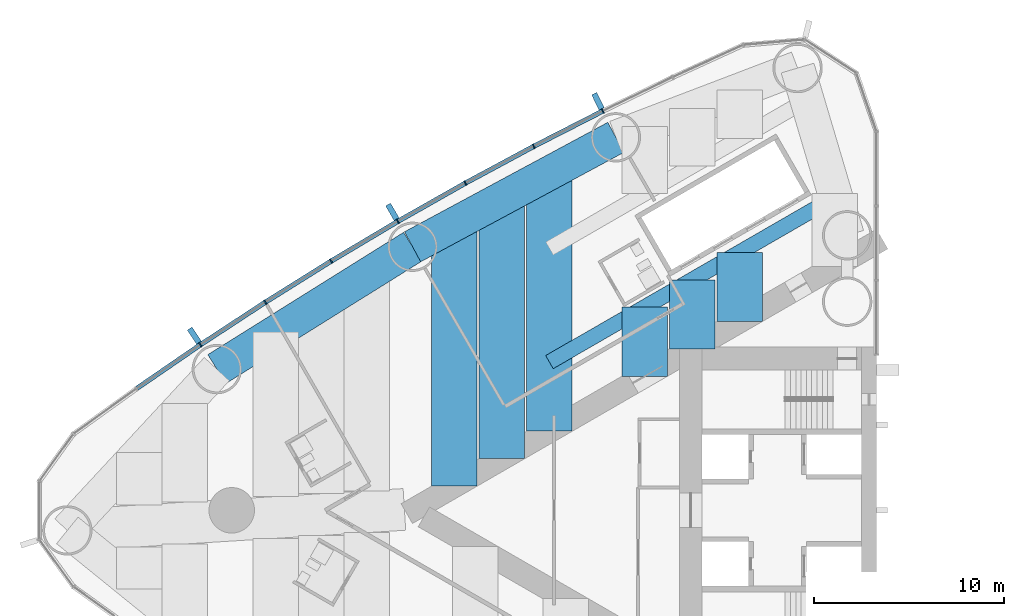
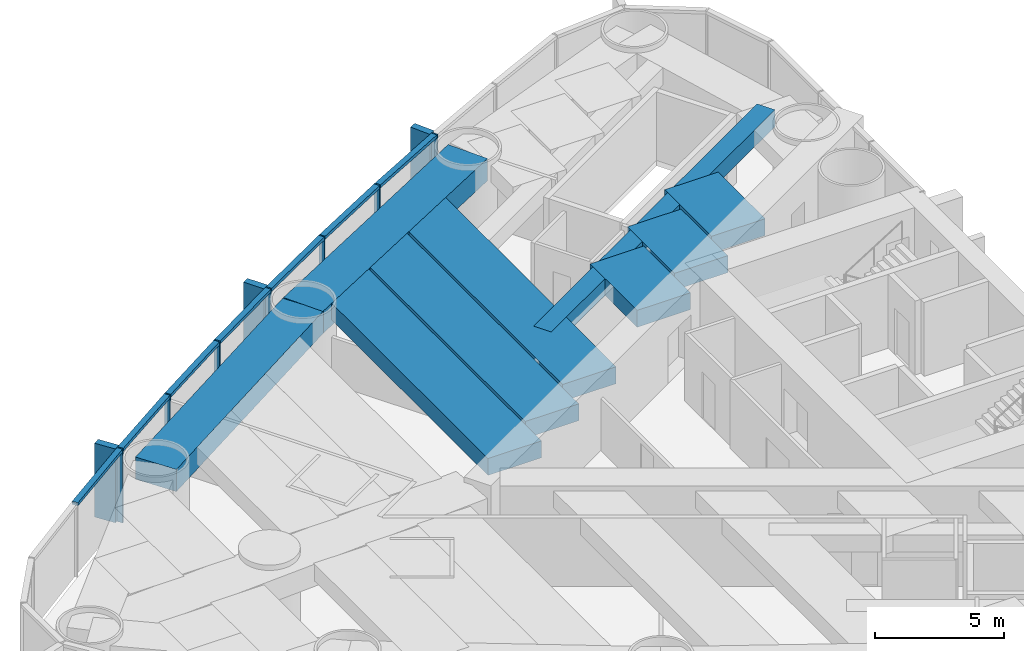
# One storey, part 4 of 18: 17 members, 9 beams, 1 element without a shape of its own.
"""IFC4 building model written with IfcOpenShell, lengths in metres."""

from ifc_helpers import new_model, si_unit, direction, frame, origin, origin_2d, place, context, subcontext, project, spatial, rectangle, hollow_rectangle, extrude, material, material_profile, profile_set, type_object, element, aggregate, save


model = new_model("IFC4")

# Units and contexts
model_context = context("Model", 3, precision=1e-05, world=origin(), true_north=direction((0.0, 1.0)))
body_context = subcontext(model_context, "Body", "Model", "MODEL_VIEW")
ifc_project = project(units=[si_unit("LENGTHUNIT", "METRE"), si_unit("AREAUNIT", "SQUARE_METRE"), si_unit("VOLUMEUNIT", "CUBIC_METRE"), si_unit("PLANEANGLEUNIT", "RADIAN"), si_unit("MASSUNIT", "GRAM", prefix="KILO")], contexts=[model_context])

# Site, building, storey
site_placement = place(None, origin())
site = spatial("IfcSite", under=ifc_project, at=site_placement, CompositionType="ELEMENT")
building_placement = place(site_placement, origin())
building = spatial("IfcBuilding", under=site, at=building_placement, Name="Lancet Gate Hotel", CompositionType="ELEMENT")
storey_placement = place(building_placement, frame((0.0, 0.0, 101.10009765625)))
storey = spatial("IfcBuildingStorey", under=building, at=storey_placement, Name="L26", CompositionType="ELEMENT", Elevation=101.10009765625)

# Curtain wall, members
ifc_material_1 = material(Name="Aluminium curtain wall", Category="aluminium")
curtain_wall_type = type_object("IfcCurtainWallType", Name="Tower unitised curtain wall", PredefinedType="USERDEFINED", material=ifc_material_1)
curtain_wall_placement = place(storey_placement, origin())
curtain_wall = element("IfcCurtainWall", 1, at=curtain_wall_placement, inside=storey, type_object=curtain_wall_type, Name="T1 L26 curtain wall 1", ObjectType="UNITISED CURTAIN WALL", PredefinedType="USERDEFINED")
ifc_material_2 = material(Name="Aluminium mullion", Category="aluminium")
ifc_material_profile_1 = material_profile(ifc_material_2, rectangle(XDim=0.06494140625, YDim=0.25, at=origin_2d()), Name="MULLION 65x250")
ifc_profile_set_1 = profile_set([ifc_material_profile_1], Name="Aluminium mullion")
member_type_1 = type_object("IfcMemberType", Name="Aluminium mullion 65x250", PredefinedType="MULLION", material=ifc_profile_set_1)
member_1_placement = place(storey_placement, frame((-41.935302734375, 21.053466796875, 0.0), z_axis=(0.0, 0.0, 1.0), x_axis=(-0.895339445458, -0.445384415317, 0.0)))
member_1 = element("IfcMember", 2, at=member_1_placement, type_object=member_type_1, Name="T1 L26 curtain wall 1 mullion 9", PredefinedType="MULLION", context=body_context, shape_type="SweptSolid", body=[
    extrude(rectangle(XDim=0.06494140625, YDim=0.25, at=origin_2d()), origin(), (0.0, 0.0, 1.0), 3.5),
])
member_2_placement = place(storey_placement, frame((-45.578857421875, 19.19189453125, 0.0), z_axis=(0.0, 0.0, 1.0), x_axis=(-0.885544335517, -0.46455487279, 0.0)))
member_2 = element("IfcMember", 3, at=member_2_placement, type_object=member_type_1, Name="T1 L26 curtain wall 1 mullion 10", PredefinedType="MULLION", context=body_context, shape_type="SweptSolid", body=[
    extrude(rectangle(XDim=0.06494140625, YDim=0.25, at=origin_2d()), origin(), (0.0, 0.0, 1.0), 3.5),
])
member_3_placement = place(storey_placement, frame((-49.181640625, 17.252197265625, 0.0), z_axis=(0.0, 0.0, 1.0), x_axis=(-0.875338819507, -0.48351003202, 0.0)))
member_3 = element("IfcMember", 4, at=member_3_placement, type_object=member_type_1, Name="T1 L26 curtain wall 1 mullion 11", PredefinedType="MULLION", context=body_context, shape_type="SweptSolid", body=[
    extrude(rectangle(XDim=0.06494140625, YDim=0.25, at=origin_2d()), origin(), (0.0, 0.0, 1.0), 3.5),
])
member_4_placement = place(storey_placement, frame((-52.74169921875, 15.2353515625, 0.0), z_axis=(0.0, 0.0, 1.0), x_axis=(-0.86472762718, -0.502241108226, 0.0)))
member_4 = element("IfcMember", 5, at=member_4_placement, type_object=member_type_1, Name="T1 L26 curtain wall 1 mullion 12", PredefinedType="MULLION", context=body_context, shape_type="SweptSolid", body=[
    extrude(rectangle(XDim=0.06494140625, YDim=0.25, at=origin_2d()), origin(), (0.0, 0.0, 1.0), 3.5),
])
member_5_placement = place(storey_placement, frame((-56.257568359375, 13.142333984375, 0.0), z_axis=(0.0, 0.0, 1.0), x_axis=(-0.853715676299, -0.52073942048, 0.0)))
member_5 = element("IfcMember", 6, at=member_5_placement, type_object=member_type_1, Name="T1 L26 curtain wall 1 mullion 13", PredefinedType="MULLION", context=body_context, shape_type="SweptSolid", body=[
    extrude(rectangle(XDim=0.06494140625, YDim=0.25, at=origin_2d()), origin(), (0.0, 0.0, 1.0), 3.5),
])
member_6_placement = place(storey_placement, frame((-59.7275390625, 10.974365234375, 0.0), z_axis=(0.0, 0.0, 1.0), x_axis=(-0.84230807036, -0.538996395727, 0.0)))
member_6 = element("IfcMember", 7, at=member_6_placement, type_object=member_type_1, Name="T1 L26 curtain wall 1 mullion 14", PredefinedType="MULLION", context=body_context, shape_type="SweptSolid", body=[
    extrude(rectangle(XDim=0.06494140625, YDim=0.25, at=origin_2d()), origin(), (0.0, 0.0, 1.0), 3.5),
])
member_7_placement = place(storey_placement, frame((-63.14990234375, 8.73193359375, 0.0), z_axis=(0.0, 0.0, 1.0), x_axis=(-0.830510096234, -0.557003572747, 0.0)))
member_7 = element("IfcMember", 8, at=member_7_placement, type_object=member_type_1, Name="T1 L26 curtain wall 1 mullion 15", PredefinedType="MULLION", context=body_context, shape_type="SweptSolid", body=[
    extrude(rectangle(XDim=0.06494140625, YDim=0.25, at=origin_2d()), origin(), (0.0, 0.0, 1.0), 3.5),
])
ifc_material_3 = material(Name="Aluminium transom", Category="aluminium")
ifc_material_profile_2 = material_profile(ifc_material_3, rectangle(XDim=0.25, YDim=0.14990234375, at=origin_2d()), Name="TRANSOM 250x150")
ifc_profile_set_2 = profile_set([ifc_material_profile_2], Name="Aluminium transom")
member_type_2 = type_object("IfcMemberType", Name="Aluminium transom 250x150", PredefinedType="USERDEFINED", material=ifc_profile_set_2)
member_8_placement = place(storey_placement, frame((-41.96435546875, 21.038818359375, 3.4248046875), z_axis=(-0.89047617483, -0.455029869415, 0.0), x_axis=(0.455029869415, -0.89047617483, 0.0)))
member_8 = element("IfcMember", 9, at=member_8_placement, type_object=member_type_2, Name="T1 L26 curtain wall 1 transom 9", ObjectType="TRANSOM", PredefinedType="USERDEFINED", context=body_context, shape_type="SweptSolid", body=[
    extrude(rectangle(XDim=0.25, YDim=0.14990234375, at=origin_2d()), origin(), (0.0, 0.0, 1.0), 4.026611328125),
])
member_9_placement = place(storey_placement, frame((-45.607421875, 19.176513671875, 3.4248046875), z_axis=(-0.880498353192, -0.474049206335, 0.0), x_axis=(0.474049206335, -0.880498353192, 0.0)))
member_9 = element("IfcMember", 10, at=member_9_placement, type_object=member_type_2, Name="T1 L26 curtain wall 1 transom 10", ObjectType="TRANSOM", PredefinedType="USERDEFINED", context=body_context, shape_type="SweptSolid", body=[
    extrude(rectangle(XDim=0.25, YDim=0.14990234375, at=origin_2d()), origin(), (0.0, 0.0, 1.0), 4.02685546875),
])
member_10_placement = place(storey_placement, frame((-49.2099609375, 17.236083984375, 3.4248046875), z_axis=(-0.870091531013, -0.492890178091, 0.0), x_axis=(0.492890178091, -0.870091531013, 0.0)))
member_10 = element("IfcMember", 11, at=member_10_placement, type_object=member_type_2, Name="T1 L26 curtain wall 1 transom 11", ObjectType="TRANSOM", PredefinedType="USERDEFINED", context=body_context, shape_type="SweptSolid", body=[
    extrude(rectangle(XDim=0.25, YDim=0.14990234375, at=origin_2d()), origin(), (0.0, 0.0, 1.0), 4.026611328125),
])
member_11_placement = place(storey_placement, frame((-52.76953125, 15.21875, 3.4248046875), z_axis=(-0.859285270342, -0.511496651186, 0.0), x_axis=(0.511496651186, -0.859285270342, 0.0)))
member_11 = element("IfcMember", 12, at=member_11_placement, type_object=member_type_2, Name="T1 L26 curtain wall 1 transom 12", ObjectType="TRANSOM", PredefinedType="USERDEFINED", context=body_context, shape_type="SweptSolid", body=[
    extrude(rectangle(XDim=0.25, YDim=0.14990234375, at=origin_2d()), origin(), (0.0, 0.0, 1.0), 4.026611328125),
])
member_12_placement = place(storey_placement, frame((-56.28515625, 13.125244140625, 3.4248046875), z_axis=(-0.848049393821, -0.529917187531, 0.0), x_axis=(0.529917187531, -0.848049393821, 0.0)))
member_12 = element("IfcMember", 13, at=member_12_placement, type_object=member_type_2, Name="T1 L26 curtain wall 1 transom 13", ObjectType="TRANSOM", PredefinedType="USERDEFINED", context=body_context, shape_type="SweptSolid", body=[
    extrude(rectangle(XDim=0.25, YDim=0.14990234375, at=origin_2d()), origin(), (0.0, 0.0, 1.0), 4.026611328125),
])
member_13_placement = place(storey_placement, frame((-59.754638671875, 10.95654296875, 3.4248046875), z_axis=(-0.83645442085, -0.548036496815, 0.0), x_axis=(0.548036496815, -0.83645442085, 0.0)))
member_13 = element("IfcMember", 14, at=member_13_placement, type_object=member_type_2, Name="T1 L26 curtain wall 1 transom 14", ObjectType="TRANSOM", PredefinedType="USERDEFINED", context=body_context, shape_type="SweptSolid", body=[
    extrude(rectangle(XDim=0.25, YDim=0.14990234375, at=origin_2d()), origin(), (0.0, 0.0, 1.0), 4.026611328125),
])
member_14_placement = place(storey_placement, frame((-63.1767578125, 8.713623046875, 3.4248046875), z_axis=(-0.824455665247, -0.565926546508, 0.0), x_axis=(0.565926546508, -0.824455665247, 0.0)))
member_14 = element("IfcMember", 15, at=member_14_placement, type_object=member_type_2, Name="T1 L26 curtain wall 1 transom 15", ObjectType="TRANSOM", PredefinedType="USERDEFINED", context=body_context, shape_type="SweptSolid", body=[
    extrude(rectangle(XDim=0.25, YDim=0.14990234375, at=origin_2d()), origin(), (0.0, 0.0, 1.0), 4.026611328125),
])

# Beams
ifc_material_4 = material(Name="Concrete C50/60", Category="concrete")
ifc_material_profile_3 = material_profile(ifc_material_4, rectangle(XDim=1.800048828125, YDim=1.050048828125, at=origin_2d()), Name="RC 1800x1050")
ifc_profile_set_3 = profile_set([ifc_material_profile_3], Name="Concrete C50/60")
beam_type_1 = type_object("IfcBeamType", Name="Edge beam RC 1800x1050", PredefinedType="SPANDREL", material=ifc_profile_set_3)
for number, where, z_axis, x_axis, name in (
    (16, (-41.244873046875, 19.665771484375, 2.724853515625), (-0.880492350889, -0.474060354835, 0.0), (0.474060354835, -0.880492350889, 0.0), "T1 edge beam EB1 L26"),
    (17, (-51.963134765625, 13.89501953125, 2.724853515625), (-0.848062521637, -0.529896177939, 0.0), (0.529896177939, -0.848062521637, 0.0), "T1 edge beam EB1 L26"),
):
    element("IfcBeam", number, at=place(storey_placement, frame(where, z_axis=z_axis, x_axis=x_axis)), inside=storey, type_object=beam_type_1, Name=name, PredefinedType="SPANDREL", context=body_context, shape_type="SweptSolid", body=[
        extrude(rectangle(XDim=1.800048828125, YDim=1.050048828125, at=origin_2d()), origin(), (0.0, 0.0, 1.0), 12.173095703125),
    ])

# Member
ifc_material_5 = material(Name="Precast concrete C50/60", Category="concrete")
ifc_material_profile_4 = material_profile(ifc_material_5, rectangle(XDim=0.300048828125, YDim=0.89990234375, at=origin_2d()), Name="FIN 300x900")
ifc_profile_set_4 = profile_set([ifc_material_profile_4], Name="Precast concrete C50/60")
member_type_3 = type_object("IfcMemberType", Name="Exposed concrete fin 300x900", PredefinedType="USERDEFINED", material=ifc_profile_set_4)
member_15_placement = place(storey_placement, frame((-42.19140625, 21.568359375, 0.0), z_axis=(0.0, 0.0, 1.0), x_axis=(-0.895339445458, -0.445384415317, 0.0)))
member_15 = element("IfcMember", 18, at=member_15_placement, type_object=member_type_3, Name="T1 L26 curtain wall 1 fin 9", ObjectType="FIN", PredefinedType="USERDEFINED", context=body_context, shape_type="SweptSolid", body=[
    extrude(rectangle(XDim=0.300048828125, YDim=0.89990234375, at=origin_2d()), origin(), (0.0, 0.0, 1.0), 3.5),
])

member_16_placement = place(storey_placement, frame((-53.030517578125, 15.732666015625, 0.0), z_axis=(0.0, 0.0, 1.0), x_axis=(-0.86472762718, -0.502241108226, 0.0)))
member_16 = element("IfcMember", 19, at=member_16_placement, type_object=member_type_3, Name="T1 L26 curtain wall 1 fin 12", ObjectType="FIN", PredefinedType="USERDEFINED", context=body_context, shape_type="SweptSolid", body=[
    extrude(rectangle(XDim=0.300048828125, YDim=0.89990234375, at=origin_2d()), origin(), (0.0, 0.0, 1.0), 3.5),
])

member_17_placement = place(storey_placement, frame((-63.47021484375, 9.20947265625, 0.0), z_axis=(0.0, 0.0, 1.0), x_axis=(-0.830510096234, -0.557003572747, 0.0)))
member_17 = element("IfcMember", 20, at=member_17_placement, type_object=member_type_3, Name="T1 L26 curtain wall 1 fin 15", ObjectType="FIN", PredefinedType="USERDEFINED", context=body_context, shape_type="SweptSolid", body=[
    extrude(rectangle(XDim=0.300048828125, YDim=0.89990234375, at=origin_2d()), origin(), (0.0, 0.0, 1.0), 3.5),
])

aggregate(curtain_wall, [member_1, member_15, member_2, member_3, member_4, member_16, member_5, member_6, member_7, member_17, member_8, member_9, member_10, member_11, member_12, member_13, member_14])

# Beams
ifc_material_6 = material(Name="Concrete C50/60", Category="concrete")
ifc_material_profile_5 = material_profile(ifc_material_6, rectangle(XDim=2.39990234375, YDim=0.800048828125, at=origin_2d()), Name="RC 2400x800")
ifc_profile_set_5 = profile_set([ifc_material_profile_5], Name="Concrete C50/60")
beam_type_2 = type_object("IfcBeamType", Name="Floor beam RC 2400x800", PredefinedType="BEAM", material=ifc_profile_set_5)
beam_1_placement = place(storey_placement, frame((-44.747802734375, 17.77978515625, 2.849853515625), z_axis=(0.0, -1.0, 0.0), x_axis=(1.0, 0.0, 0.0)))
element("IfcBeam", 21, at=beam_1_placement, inside=storey, type_object=beam_type_2, Name="T1 floor beam F09S L26", PredefinedType="BEAM", context=body_context, shape_type="SweptSolid", body=[
    extrude(rectangle(XDim=2.39990234375, YDim=0.800048828125, at=origin_2d()), origin(), (0.0, 0.0, 1.0), 13.611083984375),
])
beam_2_placement = place(storey_placement, frame((-47.254638671875, 16.43017578125, 2.849853515625), z_axis=(0.0, -1.0, 0.0), x_axis=(1.0, 0.0, 0.0)))
element("IfcBeam", 22, at=beam_2_placement, inside=storey, type_object=beam_type_2, Name="T1 floor beam F10S L26", PredefinedType="BEAM", context=body_context, shape_type="SweptSolid", body=[
    extrude(rectangle(XDim=2.39990234375, YDim=0.800048828125, at=origin_2d()), origin(), (0.0, 0.0, 1.0), 13.708740234375),
])
beam_3_placement = place(storey_placement, frame((-49.761474609375, 15.08056640625, 2.849853515625), z_axis=(0.0, -1.0, 0.0), x_axis=(1.0, 0.0, 0.0)))
element("IfcBeam", 23, at=beam_3_placement, inside=storey, type_object=beam_type_2, Name="T1 floor beam F12S L26", PredefinedType="BEAM", context=body_context, shape_type="SweptSolid", body=[
    extrude(rectangle(XDim=2.39990234375, YDim=0.800048828125, at=origin_2d()), origin(), (0.0, 0.0, 1.0), 13.806396484375),
])
beam_4_placement = place(storey_placement, frame((-34.720458984375, 13.603759765625, 2.849853515625), z_axis=(0.0, -1.0, 0.0), x_axis=(1.0, 0.0, 0.0)))
element("IfcBeam", 24, at=beam_4_placement, inside=storey, type_object=beam_type_2, Name="T1 floor beam F04SB L26", PredefinedType="BEAM", context=body_context, shape_type="SweptSolid", body=[
    extrude(rectangle(XDim=2.39990234375, YDim=0.800048828125, at=origin_2d()), origin(), (0.0, 0.0, 1.0), 3.645751953125),
])
beam_5_placement = place(storey_placement, frame((-37.227294921875, 12.15625, 2.849853515625), z_axis=(0.0, -1.0, 0.0), x_axis=(1.0, 0.0, 0.0)))
element("IfcBeam", 25, at=beam_5_placement, inside=storey, type_object=beam_type_2, Name="T1 floor beam F05SB L26", PredefinedType="BEAM", context=body_context, shape_type="SweptSolid", body=[
    extrude(rectangle(XDim=2.39990234375, YDim=0.800048828125, at=origin_2d()), origin(), (0.0, 0.0, 1.0), 3.6455078125),
])
beam_6_placement = place(storey_placement, frame((-39.734130859375, 10.708740234375, 2.849853515625), z_axis=(0.0, -1.0, 0.0), x_axis=(1.0, 0.0, 0.0)))
element("IfcBeam", 26, at=beam_6_placement, inside=storey, type_object=beam_type_2, Name="T1 floor beam F07SB L26", PredefinedType="BEAM", context=body_context, shape_type="SweptSolid", body=[
    extrude(rectangle(XDim=2.39990234375, YDim=0.800048828125, at=origin_2d()), origin(), (0.0, 0.0, 1.0), 3.645263671875),
])
ifc_material_7 = material(Name="Steel S460QL", Category="steel")
ifc_material_profile_6 = material_profile(ifc_material_7, hollow_rectangle(XDim=0.800048828125, YDim=0.800048828125, WallThickness=0.080078125, at=origin_2d()), Name="BOX 800x800x80")
ifc_profile_set_6 = profile_set([ifc_material_profile_6], Name="Steel S460QL")
beam_type_3 = type_object("IfcBeamType", Name="Trimmer beam BOX 800x800x80", PredefinedType="BEAM", material=ifc_profile_set_6)
beam_7_placement = place(storey_placement, frame((-29.706787109375, 16.49853515625, 2.849853515625), z_axis=(-0.866003462672, -0.500038001195, 0.0), x_axis=(0.500038001195, -0.866003462672, 0.0)))
element("IfcBeam", 27, at=beam_7_placement, inside=storey, type_object=beam_type_3, Name="T1 trimmer beam TR02S L26", PredefinedType="BEAM", context=body_context, shape_type="SweptSolid", body=[
    extrude(hollow_rectangle(XDim=0.800048828125, YDim=0.800048828125, WallThickness=0.080078125, at=origin_2d()), origin(), (0.0, 0.0, 1.0), 17.368408203125),
])

save(model, "model.ifc")
